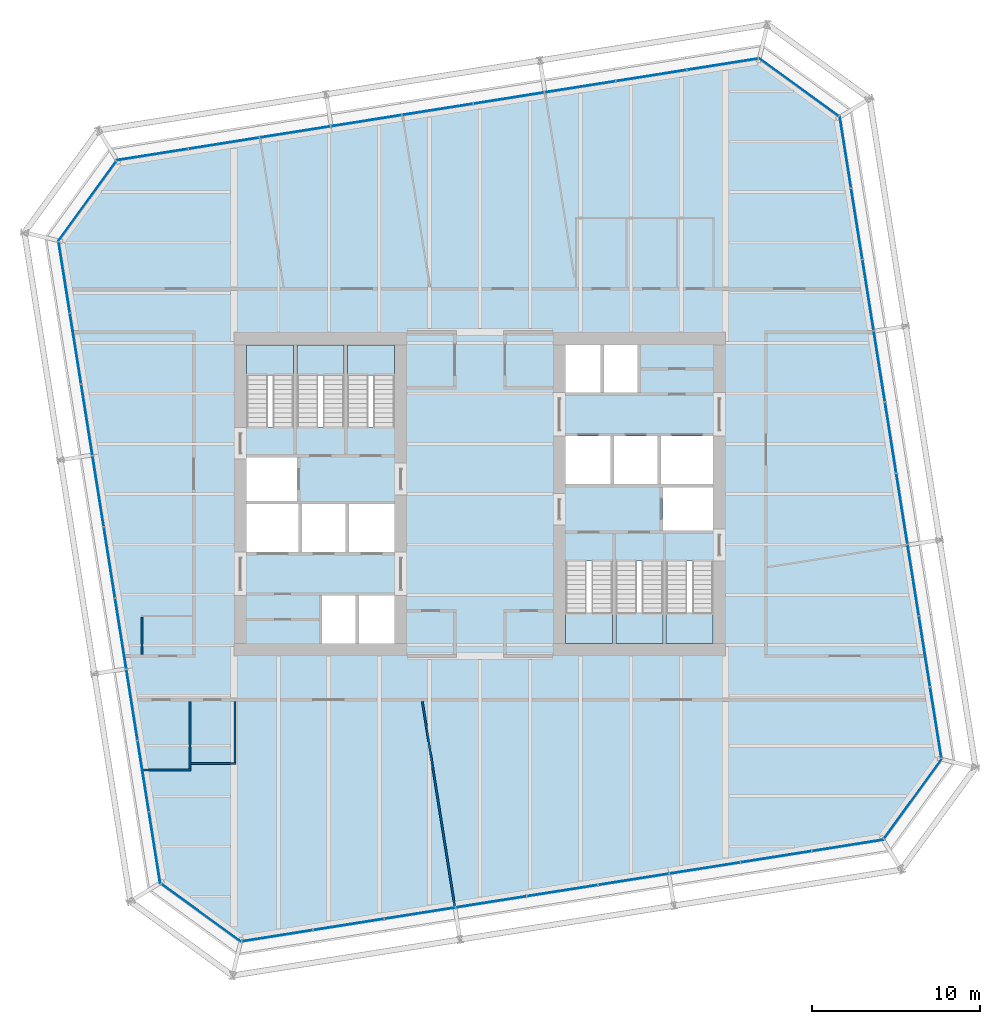
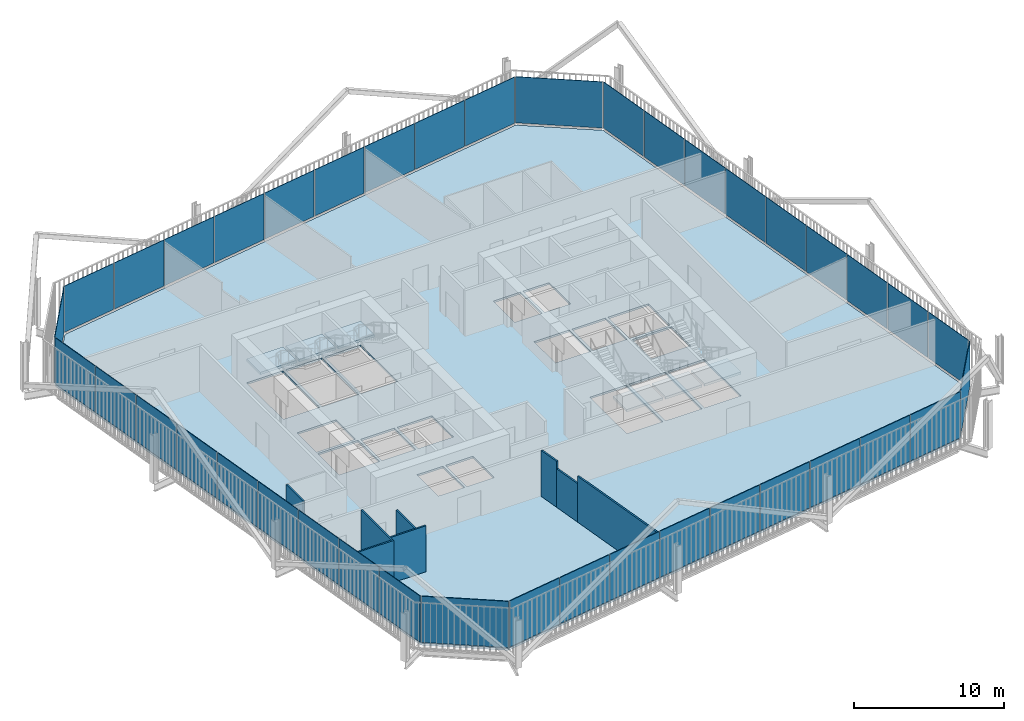
# One storey, part 17 of 22: 40 plates, 8 walls, 7 slabs, 14 elements without a shape of their own.
"""IFC4 building model written with IfcOpenShell, lengths in metres."""

from ifc_helpers import new_model, si_unit, direction, frame, frame_2d, origin, place, context, subcontext, project, spatial, polyline, rectangle, outline, extrude, material, layer, layer_set, type_object, element, aggregate, save


model = new_model("IFC4")

# Units and contexts
model_context = context("Model", 3, precision=1e-05, world=origin(), true_north=direction((0.0, 1.0)))
body_context = subcontext(model_context, "Body", "Model", "MODEL_VIEW")
ifc_project = project(units=[si_unit("LENGTHUNIT", "METRE"), si_unit("AREAUNIT", "SQUARE_METRE"), si_unit("VOLUMEUNIT", "CUBIC_METRE"), si_unit("PLANEANGLEUNIT", "RADIAN"), si_unit("MASSUNIT", "GRAM", prefix="KILO")], contexts=[model_context])

# Site, building, storey
site_placement = place(None, origin())
site = spatial("IfcSite", under=ifc_project, at=site_placement, CompositionType="ELEMENT")
building_placement = place(site_placement, origin())
building = spatial("IfcBuilding", under=site, at=building_placement, Name="Millrace Tower", CompositionType="ELEMENT")
storey_placement = place(building_placement, frame((0.0, 0.0, 152.89990234375)))
storey = spatial("IfcBuildingStorey", under=building, at=storey_placement, Name="L34", CompositionType="ELEMENT", Elevation=152.89990234375)

# Curtain wall, plate
ifc_material_1 = material(Name="Aluminium and glass", Category="aluminium")
ifc_layer_1 = layer(ifc_material_1, 0.14990234375)
ifc_layer_set_1 = layer_set([ifc_layer_1], Name="Aluminium and glass")
curtain_wall_type = type_object("IfcCurtainWallType", Name="CW-1 office vision curtain wall", PredefinedType="NOTDEFINED", material=ifc_layer_set_1)
placement_1 = place(storey_placement, origin())
curtain_wall_1 = element("IfcCurtainWall", 1, at=placement_1, inside=storey, type_object=curtain_wall_type, Name="Curtain wall C-F01 L34", PredefinedType="NOTDEFINED")
ifc_material_2 = material(Name="Glass", Category="glass")
ifc_layer_2 = layer(ifc_material_2, 0.0439453125)
ifc_layer_set_2 = layer_set([ifc_layer_2], Name="Glass")
plate_type = type_object("IfcPlateType", Name="CW-1 office vision curtain wall triple-glazed vision panel", PredefinedType="CURTAIN_PANEL", material=ifc_layer_set_2)
placement_2 = place(storey_placement, frame((0.0, 0.0, 0.14013671875)))
plate_1 = element("IfcPlate", 2, at=placement_2, type_object=plate_type, Name="CW1 panel C-F01.1", PredefinedType="CURTAIN_PANEL", context=body_context, shape_type="SweptSolid", body=[
    extrude(outline(polyline([(-18.988037109375, -23.254638671875), (-14.260009765625, -26.689697265625), (-14.2490234375, -26.6435546875), (-18.962158203125, -23.218994140625), (-18.988037109375, -23.254638671875)])), origin(), (0.0, 0.0, 1.0), 3.760009765625),
])
aggregate(curtain_wall_1, [plate_1])

# Curtain wall, plates
curtain_wall_2 = element("IfcCurtainWall", 3, at=placement_1, inside=storey, type_object=curtain_wall_type, Name="Curtain wall C-F02 L34", PredefinedType="NOTDEFINED")
plate_2 = element("IfcPlate", 4, at=placement_2, type_object=plate_type, Name="CW1 panel C-F02.1", PredefinedType="CURTAIN_PANEL", context=body_context, shape_type="SweptSolid", body=[
    extrude(outline(polyline([(-14.15625, -26.67333984375), (-9.973388671875, -26.0107421875), (-9.980224609375, -25.96728515625), (-14.1630859375, -26.6298828125), (-14.15625, -26.67333984375)])), origin(), (0.0, 0.0, 1.0), 3.760009765625),
])
plate_3 = element("IfcPlate", 5, at=placement_2, type_object=plate_type, Name="CW1 panel C-F02.2", PredefinedType="CURTAIN_PANEL", context=body_context, shape_type="SweptSolid", body=[
    extrude(outline(polyline([(-9.9091796875, -26.000732421875), (-5.726318359375, -25.338134765625), (-5.733154296875, -25.294677734375), (-9.916015625, -25.957275390625), (-9.9091796875, -26.000732421875)])), origin(), (0.0, 0.0, 1.0), 3.760009765625),
])
plate_4 = element("IfcPlate", 6, at=placement_2, type_object=plate_type, Name="CW1 panel C-F02.3", PredefinedType="CURTAIN_PANEL", context=body_context, shape_type="SweptSolid", body=[
    extrude(outline(polyline([(-5.662109375, -25.327880859375), (-1.479248046875, -24.66552734375), (-1.486083984375, -24.6220703125), (-5.6689453125, -25.284423828125), (-5.662109375, -25.327880859375)])), origin(), (0.0, 0.0, 1.0), 3.760009765625),
])
plate_5 = element("IfcPlate", 7, at=placement_2, type_object=plate_type, Name="CW1 panel C-F02.4", PredefinedType="CURTAIN_PANEL", context=body_context, shape_type="SweptSolid", body=[
    extrude(outline(polyline([(-1.4150390625, -24.6552734375), (2.767822265625, -23.992919921875), (2.760986328125, -23.949462890625), (-1.421875, -24.61181640625), (-1.4150390625, -24.6552734375)])), origin(), (0.0, 0.0, 1.0), 3.760009765625),
])
plate_6 = element("IfcPlate", 8, at=placement_2, type_object=plate_type, Name="CW1 panel C-F02.5", PredefinedType="CURTAIN_PANEL", context=body_context, shape_type="SweptSolid", body=[
    extrude(outline(polyline([(2.83203125, -23.982666015625), (7.014892578125, -23.320068359375), (7.008056640625, -23.276611328125), (2.8251953125, -23.939208984375), (2.83203125, -23.982666015625)])), origin(), (0.0, 0.0, 1.0), 3.760009765625),
])
plate_7 = element("IfcPlate", 9, at=placement_2, type_object=plate_type, Name="CW1 panel C-F02.6", PredefinedType="CURTAIN_PANEL", context=body_context, shape_type="SweptSolid", body=[
    extrude(outline(polyline([(7.0791015625, -23.31005859375), (11.261962890625, -22.6474609375), (11.255126953125, -22.60400390625), (7.072265625, -23.2666015625), (7.0791015625, -23.31005859375)])), origin(), (0.0, 0.0, 1.0), 3.760009765625),
])
plate_8 = element("IfcPlate", 10, at=placement_2, type_object=plate_type, Name="CW1 panel C-F02.7", PredefinedType="CURTAIN_PANEL", context=body_context, shape_type="SweptSolid", body=[
    extrude(outline(polyline([(11.326171875, -22.63720703125), (15.509033203125, -21.974853515625), (15.502197265625, -21.931396484375), (11.3193359375, -22.59375), (11.326171875, -22.63720703125)])), origin(), (0.0, 0.0, 1.0), 3.760009765625),
])
plate_9 = element("IfcPlate", 11, at=placement_2, type_object=plate_type, Name="CW1 panel C-F02.8", PredefinedType="CURTAIN_PANEL", context=body_context, shape_type="SweptSolid", body=[
    extrude(outline(polyline([(15.5732421875, -21.964599609375), (19.756103515625, -21.30224609375), (19.749267578125, -21.2587890625), (15.56640625, -21.921142578125), (15.5732421875, -21.964599609375)])), origin(), (0.0, 0.0, 1.0), 3.760009765625),
])
plate_10 = element("IfcPlate", 12, at=placement_2, type_object=plate_type, Name="CW1 panel C-F02.9", PredefinedType="CURTAIN_PANEL", context=body_context, shape_type="SweptSolid", body=[
    extrude(outline(polyline([(19.8203125, -21.2919921875), (24.042724609375, -20.623291015625), (24.01806640625, -20.58251953125), (19.8134765625, -21.24853515625), (19.8203125, -21.2919921875)])), origin(), (0.0, 0.0, 1.0), 3.760009765625),
])
aggregate(curtain_wall_2, [plate_2, plate_3, plate_4, plate_5, plate_6, plate_7, plate_8, plate_9, plate_10])

# Curtain wall, plate
curtain_wall_3 = element("IfcCurtainWall", 13, at=placement_1, inside=storey, type_object=curtain_wall_type, Name="Curtain wall C-F03 L34", PredefinedType="NOTDEFINED")
plate_11 = element("IfcPlate", 14, at=placement_2, type_object=plate_type, Name="CW1 panel C-F03.1", PredefinedType="CURTAIN_PANEL", context=body_context, shape_type="SweptSolid", body=[
    extrude(outline(polyline([(24.104736328125, -20.5380859375), (27.539794921875, -15.81005859375), (27.493408203125, -15.799072265625), (24.069091796875, -20.51220703125), (24.104736328125, -20.5380859375)])), origin(), (0.0, 0.0, 1.0), 3.760009765625),
])
aggregate(curtain_wall_3, [plate_11])

# Curtain wall, plates
curtain_wall_4 = element("IfcCurtainWall", 15, at=placement_1, inside=storey, type_object=curtain_wall_type, Name="Curtain wall C-F04 L34", PredefinedType="NOTDEFINED")
plate_12 = element("IfcPlate", 16, at=placement_2, type_object=plate_type, Name="CW1 panel C-F04.1", PredefinedType="CURTAIN_PANEL", context=body_context, shape_type="SweptSolid", body=[
    extrude(outline(polyline([(27.5234375, -15.706298828125), (26.86083984375, -11.5234375), (26.8173828125, -11.5302734375), (27.47998046875, -15.713134765625), (27.5234375, -15.706298828125)])), origin(), (0.0, 0.0, 1.0), 3.760009765625),
])
plate_13 = element("IfcPlate", 17, at=placement_2, type_object=plate_type, Name="CW1 panel C-F04.2", PredefinedType="CURTAIN_PANEL", context=body_context, shape_type="SweptSolid", body=[
    extrude(outline(polyline([(26.8505859375, -11.459228515625), (26.188232421875, -7.2763671875), (26.144775390625, -7.283203125), (26.80712890625, -11.466064453125), (26.8505859375, -11.459228515625)])), origin(), (0.0, 0.0, 1.0), 3.760009765625),
])
plate_14 = element("IfcPlate", 18, at=placement_2, type_object=plate_type, Name="CW1 panel C-F04.3", PredefinedType="CURTAIN_PANEL", context=body_context, shape_type="SweptSolid", body=[
    extrude(outline(polyline([(26.177978515625, -7.212158203125), (25.515380859375, -3.029296875), (25.471923828125, -3.0361328125), (26.134521484375, -7.218994140625), (26.177978515625, -7.212158203125)])), origin(), (0.0, 0.0, 1.0), 3.760009765625),
])
plate_15 = element("IfcPlate", 19, at=placement_2, type_object=plate_type, Name="CW1 panel C-F04.4", PredefinedType="CURTAIN_PANEL", context=body_context, shape_type="SweptSolid", body=[
    extrude(outline(polyline([(25.50537109375, -2.965087890625), (24.8427734375, 1.2177734375), (24.79931640625, 1.2109375), (25.4619140625, -2.971923828125), (25.50537109375, -2.965087890625)])), origin(), (0.0, 0.0, 1.0), 3.760009765625),
])
plate_16 = element("IfcPlate", 20, at=placement_2, type_object=plate_type, Name="CW1 panel C-F04.5", PredefinedType="CURTAIN_PANEL", context=body_context, shape_type="SweptSolid", body=[
    extrude(outline(polyline([(24.832763671875, 1.281982421875), (24.170166015625, 5.46484375), (24.126708984375, 5.4580078125), (24.789306640625, 1.275146484375), (24.832763671875, 1.281982421875)])), origin(), (0.0, 0.0, 1.0), 3.760009765625),
])
plate_17 = element("IfcPlate", 21, at=placement_2, type_object=plate_type, Name="CW1 panel C-F04.6", PredefinedType="CURTAIN_PANEL", context=body_context, shape_type="SweptSolid", body=[
    extrude(outline(polyline([(24.159912109375, 5.529052734375), (23.49755859375, 9.7119140625), (23.4541015625, 9.705078125), (24.116455078125, 5.522216796875), (24.159912109375, 5.529052734375)])), origin(), (0.0, 0.0, 1.0), 3.760009765625),
])
plate_18 = element("IfcPlate", 22, at=placement_2, type_object=plate_type, Name="CW1 panel C-F04.7", PredefinedType="CURTAIN_PANEL", context=body_context, shape_type="SweptSolid", body=[
    extrude(outline(polyline([(23.4873046875, 9.776123046875), (22.82470703125, 13.958984375), (22.78125, 13.9521484375), (23.44384765625, 9.769287109375), (23.4873046875, 9.776123046875)])), origin(), (0.0, 0.0, 1.0), 3.760009765625),
])
plate_19 = element("IfcPlate", 23, at=placement_2, type_object=plate_type, Name="CW1 panel C-F04.8", PredefinedType="CURTAIN_PANEL", context=body_context, shape_type="SweptSolid", body=[
    extrude(outline(polyline([(22.814697265625, 14.023193359375), (22.152099609375, 18.2060546875), (22.108642578125, 18.19921875), (22.771240234375, 14.016357421875), (22.814697265625, 14.023193359375)])), origin(), (0.0, 0.0, 1.0), 3.760009765625),
])
plate_20 = element("IfcPlate", 24, at=placement_2, type_object=plate_type, Name="CW1 panel C-F04.9", PredefinedType="CURTAIN_PANEL", context=body_context, shape_type="SweptSolid", body=[
    extrude(outline(polyline([(22.14208984375, 18.270263671875), (21.47314453125, 22.492919921875), (21.4326171875, 22.468017578125), (22.0986328125, 18.263427734375), (22.14208984375, 18.270263671875)])), origin(), (0.0, 0.0, 1.0), 3.760009765625),
])
aggregate(curtain_wall_4, [plate_12, plate_13, plate_14, plate_15, plate_16, plate_17, plate_18, plate_19, plate_20])

# Curtain wall, plate
curtain_wall_5 = element("IfcCurtainWall", 25, at=placement_1, inside=storey, type_object=curtain_wall_type, Name="Curtain wall C-F05 L34", PredefinedType="NOTDEFINED")
plate_21 = element("IfcPlate", 26, at=placement_2, type_object=plate_type, Name="CW1 panel C-F05.1", PredefinedType="CURTAIN_PANEL", context=body_context, shape_type="SweptSolid", body=[
    extrude(outline(polyline([(21.38818359375, 22.5546875), (16.66015625, 25.98974609375), (16.64892578125, 25.943359375), (21.3623046875, 22.51904296875), (21.38818359375, 22.5546875)])), origin(), (0.0, 0.0, 1.0), 3.760009765625),
])
aggregate(curtain_wall_5, [plate_21])

# Curtain wall, plates
curtain_wall_6 = element("IfcCurtainWall", 27, at=placement_1, inside=storey, type_object=curtain_wall_type, Name="Curtain wall C-F06 L34", PredefinedType="NOTDEFINED")
plate_22 = element("IfcPlate", 28, at=placement_2, type_object=plate_type, Name="CW1 panel C-F06.1", PredefinedType="CURTAIN_PANEL", context=body_context, shape_type="SweptSolid", body=[
    extrude(outline(polyline([(16.55615234375, 25.973388671875), (12.373291015625, 25.310791015625), (12.380126953125, 25.267333984375), (16.56298828125, 25.929931640625), (16.55615234375, 25.973388671875)])), origin(), (0.0, 0.0, 1.0), 3.760009765625),
])
plate_23 = element("IfcPlate", 29, at=placement_2, type_object=plate_type, Name="CW1 panel C-F06.2", PredefinedType="CURTAIN_PANEL", context=body_context, shape_type="SweptSolid", body=[
    extrude(outline(polyline([(12.30908203125, 25.300537109375), (8.126220703125, 24.63818359375), (8.133056640625, 24.5947265625), (12.31591796875, 25.257080078125), (12.30908203125, 25.300537109375)])), origin(), (0.0, 0.0, 1.0), 3.760009765625),
])
plate_24 = element("IfcPlate", 30, at=placement_2, type_object=plate_type, Name="CW1 panel C-F06.3", PredefinedType="CURTAIN_PANEL", context=body_context, shape_type="SweptSolid", body=[
    extrude(outline(polyline([(8.06201171875, 24.6279296875), (3.879150390625, 23.965576171875), (3.885986328125, 23.922119140625), (8.06884765625, 24.58447265625), (8.06201171875, 24.6279296875)])), origin(), (0.0, 0.0, 1.0), 3.760009765625),
])
plate_25 = element("IfcPlate", 31, at=placement_2, type_object=plate_type, Name="CW1 panel C-F06.4", PredefinedType="CURTAIN_PANEL", context=body_context, shape_type="SweptSolid", body=[
    extrude(outline(polyline([(3.81494140625, 23.955322265625), (-0.367919921875, 23.292724609375), (-0.361083984375, 23.249267578125), (3.82177734375, 23.911865234375), (3.81494140625, 23.955322265625)])), origin(), (0.0, 0.0, 1.0), 3.760009765625),
])
plate_26 = element("IfcPlate", 32, at=placement_2, type_object=plate_type, Name="CW1 panel C-F06.5", PredefinedType="CURTAIN_PANEL", context=body_context, shape_type="SweptSolid", body=[
    extrude(outline(polyline([(-0.43212890625, 23.28271484375), (-4.614990234375, 22.6201171875), (-4.60791015625, 22.57666015625), (-0.42529296875, 23.2392578125), (-0.43212890625, 23.28271484375)])), origin(), (0.0, 0.0, 1.0), 3.760009765625),
])
plate_27 = element("IfcPlate", 33, at=placement_2, type_object=plate_type, Name="CW1 panel C-F06.6", PredefinedType="CURTAIN_PANEL", context=body_context, shape_type="SweptSolid", body=[
    extrude(outline(polyline([(-4.67919921875, 22.60986328125), (-8.862060546875, 21.947509765625), (-8.85498046875, 21.904052734375), (-4.672119140625, 22.56640625), (-4.67919921875, 22.60986328125)])), origin(), (0.0, 0.0, 1.0), 3.760009765625),
])
plate_28 = element("IfcPlate", 34, at=placement_2, type_object=plate_type, Name="CW1 panel C-F06.7", PredefinedType="CURTAIN_PANEL", context=body_context, shape_type="SweptSolid", body=[
    extrude(outline(polyline([(-8.92626953125, 21.937255859375), (-13.109130859375, 21.27490234375), (-13.10205078125, 21.2314453125), (-8.919189453125, 21.893798828125), (-8.92626953125, 21.937255859375)])), origin(), (0.0, 0.0, 1.0), 3.760009765625),
])
plate_29 = element("IfcPlate", 35, at=placement_2, type_object=plate_type, Name="CW1 panel C-F06.8", PredefinedType="CURTAIN_PANEL", context=body_context, shape_type="SweptSolid", body=[
    extrude(outline(polyline([(-13.17333984375, 21.2646484375), (-17.356201171875, 20.60205078125), (-17.34912109375, 20.55859375), (-13.166259765625, 21.22119140625), (-13.17333984375, 21.2646484375)])), origin(), (0.0, 0.0, 1.0), 3.760009765625),
])
plate_30 = element("IfcPlate", 36, at=placement_2, type_object=plate_type, Name="CW1 panel C-F06.9", PredefinedType="CURTAIN_PANEL", context=body_context, shape_type="SweptSolid", body=[
    extrude(outline(polyline([(-17.42041015625, 20.592041015625), (-21.642822265625, 19.923095703125), (-21.617919921875, 19.882568359375), (-17.413330078125, 20.548583984375), (-17.42041015625, 20.592041015625)])), origin(), (0.0, 0.0, 1.0), 3.760009765625),
])
aggregate(curtain_wall_6, [plate_22, plate_23, plate_24, plate_25, plate_26, plate_27, plate_28, plate_29, plate_30])

# Curtain wall, plate
curtain_wall_7 = element("IfcCurtainWall", 37, at=placement_1, inside=storey, type_object=curtain_wall_type, Name="Curtain wall C-F07 L34", PredefinedType="NOTDEFINED")
plate_31 = element("IfcPlate", 38, at=placement_2, type_object=plate_type, Name="CW1 panel C-F07.1", PredefinedType="CURTAIN_PANEL", context=body_context, shape_type="SweptSolid", body=[
    extrude(outline(polyline([(-21.70458984375, 19.838134765625), (-25.139892578125, 15.110107421875), (-25.093505859375, 15.098876953125), (-21.6689453125, 19.812255859375), (-21.70458984375, 19.838134765625)])), origin(), (0.0, 0.0, 1.0), 3.760009765625),
])
aggregate(curtain_wall_7, [plate_31])

# Curtain wall, plates
curtain_wall_8 = element("IfcCurtainWall", 39, at=placement_1, inside=storey, type_object=curtain_wall_type, Name="Curtain wall C-F08 L34", PredefinedType="NOTDEFINED")
plate_32 = element("IfcPlate", 40, at=placement_2, type_object=plate_type, Name="CW1 panel C-F08.1", PredefinedType="CURTAIN_PANEL", context=body_context, shape_type="SweptSolid", body=[
    extrude(outline(polyline([(-25.123291015625, 15.006103515625), (-24.4609375, 10.8232421875), (-24.41748046875, 10.830322265625), (-25.079833984375, 15.01318359375), (-25.123291015625, 15.006103515625)])), origin(), (0.0, 0.0, 1.0), 3.760009765625),
])
plate_33 = element("IfcPlate", 41, at=placement_2, type_object=plate_type, Name="CW1 panel C-F08.2", PredefinedType="CURTAIN_PANEL", context=body_context, shape_type="SweptSolid", body=[
    extrude(outline(polyline([(-24.45068359375, 10.759033203125), (-23.7880859375, 6.576171875), (-23.74462890625, 6.583251953125), (-24.4072265625, 10.76611328125), (-24.45068359375, 10.759033203125)])), origin(), (0.0, 0.0, 1.0), 3.760009765625),
])
plate_34 = element("IfcPlate", 42, at=placement_2, type_object=plate_type, Name="CW1 panel C-F08.3", PredefinedType="CURTAIN_PANEL", context=body_context, shape_type="SweptSolid", body=[
    extrude(outline(polyline([(-23.778076171875, 6.511962890625), (-23.115478515625, 2.3291015625), (-23.072021484375, 2.336181640625), (-23.734619140625, 6.51904296875), (-23.778076171875, 6.511962890625)])), origin(), (0.0, 0.0, 1.0), 3.760009765625),
])
plate_35 = element("IfcPlate", 43, at=placement_2, type_object=plate_type, Name="CW1 panel C-F08.4", PredefinedType="CURTAIN_PANEL", context=body_context, shape_type="SweptSolid", body=[
    extrude(outline(polyline([(-23.105224609375, 2.264892578125), (-22.44287109375, -1.91796875), (-22.3994140625, -1.910888671875), (-23.061767578125, 2.27197265625), (-23.105224609375, 2.264892578125)])), origin(), (0.0, 0.0, 1.0), 3.760009765625),
])
plate_36 = element("IfcPlate", 44, at=placement_2, type_object=plate_type, Name="CW1 panel C-F08.5", PredefinedType="CURTAIN_PANEL", context=body_context, shape_type="SweptSolid", body=[
    extrude(outline(polyline([(-22.4326171875, -1.98193359375), (-21.770263671875, -6.164794921875), (-21.726806640625, -6.157958984375), (-22.38916015625, -1.97509765625), (-22.4326171875, -1.98193359375)])), origin(), (0.0, 0.0, 1.0), 3.760009765625),
])
plate_37 = element("IfcPlate", 45, at=placement_2, type_object=plate_type, Name="CW1 panel C-F08.6", PredefinedType="CURTAIN_PANEL", context=body_context, shape_type="SweptSolid", body=[
    extrude(outline(polyline([(-21.760009765625, -6.22900390625), (-21.097412109375, -10.411865234375), (-21.053955078125, -10.405029296875), (-21.716552734375, -6.22216796875), (-21.760009765625, -6.22900390625)])), origin(), (0.0, 0.0, 1.0), 3.760009765625),
])
plate_38 = element("IfcPlate", 46, at=placement_2, type_object=plate_type, Name="CW1 panel C-F08.7", PredefinedType="CURTAIN_PANEL", context=body_context, shape_type="SweptSolid", body=[
    extrude(outline(polyline([(-21.08740234375, -10.47607421875), (-20.4248046875, -14.658935546875), (-20.38134765625, -14.652099609375), (-21.0439453125, -10.46923828125), (-21.08740234375, -10.47607421875)])), origin(), (0.0, 0.0, 1.0), 3.760009765625),
])
plate_39 = element("IfcPlate", 47, at=placement_2, type_object=plate_type, Name="CW1 panel C-F08.8", PredefinedType="CURTAIN_PANEL", context=body_context, shape_type="SweptSolid", body=[
    extrude(outline(polyline([(-20.41455078125, -14.72314453125), (-19.752197265625, -18.906005859375), (-19.708740234375, -18.899169921875), (-20.37109375, -14.71630859375), (-20.41455078125, -14.72314453125)])), origin(), (0.0, 0.0, 1.0), 3.760009765625),
])
plate_40 = element("IfcPlate", 48, at=placement_2, type_object=plate_type, Name="CW1 panel C-F08.9", PredefinedType="CURTAIN_PANEL", context=body_context, shape_type="SweptSolid", body=[
    extrude(outline(polyline([(-19.741943359375, -18.97021484375), (-19.0732421875, -23.19287109375), (-19.032470703125, -23.16796875), (-19.698486328125, -18.96337890625), (-19.741943359375, -18.97021484375)])), origin(), (0.0, 0.0, 1.0), 3.760009765625),
])
aggregate(curtain_wall_8, [plate_32, plate_33, plate_34, plate_35, plate_36, plate_37, plate_38, plate_39, plate_40])

# Slab
ifc_material_3 = material(Name="Concrete C35 on steel deck", Category="concrete")
ifc_layer_3 = layer(ifc_material_3, 0.159912109375)
ifc_layer_set_3 = layer_set([ifc_layer_3], Name="Concrete C35 on steel deck")
slab_type_1 = type_object("IfcSlabType", Name="Composite floor slab 160 mm", PredefinedType="FLOOR", material=ifc_layer_set_3)
slab_1_placement = place(storey_placement, frame((0.0, 0.0, -0.159912109375)))
element("IfcSlab", 49, at=slab_1_placement, inside=storey, type_object=slab_type_1, Name="SL-C-L34-S1", PredefinedType="FLOOR", context=body_context, shape_type="SweptSolid", body=[
    extrude(outline(polyline([(-18.983642578125, -23.137939453125), (-14.235595703125, -26.587646484375), (23.988037109375, -20.53369140625), (27.437744140625, -15.78564453125), (21.3837890625, 22.43798828125), (16.635498046875, 25.8876953125), (-21.587890625, 19.833740234375), (-25.03759765625, 15.08544921875), (-18.983642578125, -23.137939453125)]), holes=[polyline([(-9.39990234375, -8.89990234375), (-7.39990234375, -8.89990234375), (-7.39990234375, -6.050048828125), (-9.39990234375, -6.050048828125), (-9.39990234375, -8.89990234375)]), polyline([(-7.199951171875, -8.89990234375), (-5.10009765625, -8.89990234375), (-5.10009765625, -6.050048828125), (-7.199951171875, -6.050048828125), (-7.199951171875, -8.89990234375)]), polyline([(-13.89990234375, -3.449951171875), (-10.800048828125, -3.449951171875), (-10.800048828125, -0.60009765625), (-13.89990234375, -0.60009765625), (-13.89990234375, -3.449951171875)]), polyline([(-10.60009765625, -3.449951171875), (-8.0, -3.449951171875), (-8.0, -0.60009765625), (-10.60009765625, -0.60009765625), (-10.60009765625, -3.449951171875)]), polyline([(-7.800048828125, -3.449951171875), (-5.10009765625, -3.449951171875), (-5.10009765625, -0.60009765625), (-7.800048828125, -0.60009765625), (-7.800048828125, -3.449951171875)]), polyline([(-13.89990234375, -0.39990234375), (-10.89990234375, -0.39990234375), (-10.89990234375, 2.179931640625), (-13.89990234375, 2.179931640625), (-13.89990234375, -0.39990234375)]), polyline([(-13.89990234375, 4.0), (-11.10009765625, 4.0), (-11.10009765625, 8.89990234375), (-13.89990234375, 8.89990234375), (-13.89990234375, 4.0)]), polyline([(-10.89990234375, 4.0), (-8.10009765625, 4.0), (-8.10009765625, 8.89990234375), (-10.89990234375, 8.89990234375), (-10.89990234375, 4.0)]), polyline([(-7.89990234375, 4.0), (-5.10009765625, 4.0), (-5.10009765625, 8.89990234375), (-7.89990234375, 8.89990234375), (-7.89990234375, 4.0)]), polyline([(7.39990234375, 6.050048828125), (9.39990234375, 6.050048828125), (9.39990234375, 8.89990234375), (7.39990234375, 8.89990234375), (7.39990234375, 6.050048828125)]), polyline([(5.10009765625, 6.050048828125), (7.199951171875, 6.050048828125), (7.199951171875, 8.89990234375), (5.10009765625, 8.89990234375), (5.10009765625, 6.050048828125)]), polyline([(10.800048828125, 0.60009765625), (13.89990234375, 0.60009765625), (13.89990234375, 3.449951171875), (10.800048828125, 3.449951171875), (10.800048828125, 0.60009765625)]), polyline([(8.0, 0.60009765625), (10.60009765625, 0.60009765625), (10.60009765625, 3.449951171875), (8.0, 3.449951171875), (8.0, 0.60009765625)]), polyline([(5.10009765625, 0.60009765625), (7.800048828125, 0.60009765625), (7.800048828125, 3.449951171875), (5.10009765625, 3.449951171875), (5.10009765625, 0.60009765625)]), polyline([(10.89990234375, -2.179931640625), (13.89990234375, -2.179931640625), (13.89990234375, 0.39990234375), (10.89990234375, 0.39990234375), (10.89990234375, -2.179931640625)]), polyline([(11.10009765625, -8.89990234375), (13.89990234375, -8.89990234375), (13.89990234375, -4.0), (11.10009765625, -4.0), (11.10009765625, -8.89990234375)]), polyline([(8.10009765625, -8.89990234375), (10.89990234375, -8.89990234375), (10.89990234375, -4.0), (8.10009765625, -4.0), (8.10009765625, -8.89990234375)]), polyline([(5.10009765625, -8.89990234375), (7.89990234375, -8.89990234375), (7.89990234375, -4.0), (5.10009765625, -4.0), (5.10009765625, -8.89990234375)])]), origin(), (0.0, 0.0, 1.0), 0.159912109375),
])

# Stair, slab
ifc_material_4 = material(Name="Concrete C35", Category="concrete")
stair_type = type_object("IfcStairType", Name="Exit stair", PredefinedType="HALF_TURN_STAIR", material=ifc_material_4)
stair_1 = element("IfcStair", 50, at=placement_1, inside=storey, type_object=stair_type, Name="Stair 1 W L34", PredefinedType="HALF_TURN_STAIR")
ifc_material_5 = material(Name="Concrete C40", Category="concrete")
ifc_layer_4 = layer(ifc_material_5, 0.199951171875)
ifc_layer_set_4 = layer_set([ifc_layer_4], Name="Concrete C40")
slab_type_2 = type_object("IfcSlabType", Name="Stair landing", PredefinedType="LANDING", material=ifc_layer_set_4)
placement_3 = place(storey_placement, frame((0.0, 0.0, 1.75)))
slab_2 = element("IfcSlab", 51, at=placement_3, type_object=slab_type_2, Name="ST12 landing 1", PredefinedType="LANDING", context=body_context, shape_type="SweptSolid", body=[
    extrude(outline(polyline([(-13.89990234375, 7.080078125), (-11.10009765625, 7.080078125), (-11.10009765625, 8.89990234375), (-13.89990234375, 8.89990234375), (-13.89990234375, 7.080078125)])), origin(), (0.0, 0.0, 1.0), 0.2001953125),
])
aggregate(stair_1, [slab_2])

stair_2 = element("IfcStair", 52, at=placement_1, inside=storey, type_object=stair_type, Name="Stair 2 W L34", PredefinedType="HALF_TURN_STAIR")
slab_3 = element("IfcSlab", 53, at=placement_3, type_object=slab_type_2, Name="ST12 landing 1", PredefinedType="LANDING", context=body_context, shape_type="SweptSolid", body=[
    extrude(outline(polyline([(-10.89990234375, 7.080078125), (-8.10009765625, 7.080078125), (-8.10009765625, 8.89990234375), (-10.89990234375, 8.89990234375), (-10.89990234375, 7.080078125)])), origin(), (0.0, 0.0, 1.0), 0.2001953125),
])
aggregate(stair_2, [slab_3])

stair_3 = element("IfcStair", 54, at=placement_1, inside=storey, type_object=stair_type, Name="Stair 3 W L34", PredefinedType="HALF_TURN_STAIR")
slab_4 = element("IfcSlab", 55, at=placement_3, type_object=slab_type_2, Name="ST12 landing 1", PredefinedType="LANDING", context=body_context, shape_type="SweptSolid", body=[
    extrude(outline(polyline([(-7.89990234375, 7.080078125), (-5.10009765625, 7.080078125), (-5.10009765625, 8.89990234375), (-7.89990234375, 8.89990234375), (-7.89990234375, 7.080078125)])), origin(), (0.0, 0.0, 1.0), 0.2001953125),
])
aggregate(stair_3, [slab_4])

stair_4 = element("IfcStair", 56, at=placement_1, inside=storey, type_object=stair_type, Name="Stair 1 E L34", PredefinedType="HALF_TURN_STAIR")
slab_5 = element("IfcSlab", 57, at=placement_3, type_object=slab_type_2, Name="ST12 landing 1", PredefinedType="LANDING", context=body_context, shape_type="SweptSolid", body=[
    extrude(outline(polyline([(11.10009765625, -8.89990234375), (13.89990234375, -8.89990234375), (13.89990234375, -7.080078125), (11.10009765625, -7.080078125), (11.10009765625, -8.89990234375)])), origin(), (0.0, 0.0, 1.0), 0.2001953125),
])
aggregate(stair_4, [slab_5])

stair_5 = element("IfcStair", 58, at=placement_1, inside=storey, type_object=stair_type, Name="Stair 2 E L34", PredefinedType="HALF_TURN_STAIR")
slab_6 = element("IfcSlab", 59, at=placement_3, type_object=slab_type_2, Name="ST12 landing 1", PredefinedType="LANDING", context=body_context, shape_type="SweptSolid", body=[
    extrude(outline(polyline([(8.10009765625, -8.89990234375), (10.89990234375, -8.89990234375), (10.89990234375, -7.080078125), (8.10009765625, -7.080078125), (8.10009765625, -8.89990234375)])), origin(), (0.0, 0.0, 1.0), 0.2001953125),
])
aggregate(stair_5, [slab_6])

stair_6 = element("IfcStair", 60, at=placement_1, inside=storey, type_object=stair_type, Name="Stair 3 E L34", PredefinedType="HALF_TURN_STAIR")
slab_7 = element("IfcSlab", 61, at=placement_3, type_object=slab_type_2, Name="ST12 landing 1", PredefinedType="LANDING", context=body_context, shape_type="SweptSolid", body=[
    extrude(outline(polyline([(5.10009765625, -8.89990234375), (7.89990234375, -8.89990234375), (7.89990234375, -7.080078125), (5.10009765625, -7.080078125), (5.10009765625, -8.89990234375)])), origin(), (0.0, 0.0, 1.0), 0.2001953125),
])
aggregate(stair_6, [slab_7])

# Walls
ifc_material_6 = material(Name="Gypsum board partition")
ifc_layer_5 = layer(ifc_material_6, 0.1201171875)
ifc_layer_set_5 = layer_set([ifc_layer_5], Name="Gypsum board partition")
wall_type = type_object("IfcWallType", Name="Partition wall 120", PredefinedType="PARTITIONING", material=ifc_layer_set_5)
wall_1_placement = place(storey_placement, frame((-3.430419921875, -12.348876953125, 0.0), z_axis=(0.0, 0.0, 1.0), x_axis=(0.156535074883, -0.987672400309, 0.0)))
element("IfcWall", 62, at=wall_1_placement, inside=storey, type_object=wall_type, Name="Partition wall L34", PredefinedType="PARTITIONING", context=body_context, shape_type="SweptSolid", body=[
    extrude(rectangle(XDim=1.642333984375, YDim=0.1201171875, at=frame_2d((0.8212890625, 0.0))), origin(), (0.0, 0.0, 1.0), 3.739990234375),
])
wall_2_placement = place(storey_placement, frame((-3.17333984375, -13.970947265625, 0.0), z_axis=(0.0, 0.0, 1.0), x_axis=(0.156341363977, -0.987703081857, 0.0)))
element("IfcWall", 63, at=wall_2_placement, inside=storey, type_object=wall_type, Name="Partition wall L34", PredefinedType="PARTITIONING", context=body_context, shape_type="SweptSolid", body=[
    extrude(rectangle(XDim=2.217529296875, YDim=0.1201171875, at=frame_2d((1.10888671875, 0.0))), origin(), (0.0, 0.0, 1.0), 3.133056640625),
])
wall_3_placement = place(storey_placement, frame((-2.82666015625, -16.1611328125, 0.0), z_axis=(0.0, 0.0, 1.0), x_axis=(0.156427735181, -0.987689406477, 0.0)))
element("IfcWall", 64, at=wall_3_placement, inside=storey, type_object=wall_type, Name="Partition wall L34", PredefinedType="PARTITIONING", context=body_context, shape_type="SweptSolid", body=[
    extrude(rectangle(XDim=8.54345703125, YDim=0.1201171875, at=frame_2d((4.271728515625, 0.0))), origin(), (0.0, 0.0, 1.0), 3.739990234375),
])
wall_4_placement = place(storey_placement, frame((-20.0732421875, -16.449951171875, 0.0), z_axis=(0.0, 0.0, 1.0), x_axis=(1.0, 0.0, 0.0)))
element("IfcWall", 65, at=wall_4_placement, inside=storey, type_object=wall_type, Name="Partition wall L34", PredefinedType="PARTITIONING", context=body_context, shape_type="SweptSolid", body=[
    extrude(rectangle(XDim=2.84521484375, YDim=0.1201171875, at=frame_2d((1.422607421875, 0.0))), origin(), (0.0, 0.0, 1.0), 3.739990234375),
])
wall_5_placement = place(storey_placement, frame((-17.22802734375, -16.050048828125, 0.0), z_axis=(0.0, 0.0, 1.0), x_axis=(1.0, 0.0, 0.0)))
element("IfcWall", 66, at=wall_5_placement, inside=storey, type_object=wall_type, Name="Partition wall L34", PredefinedType="PARTITIONING", context=body_context, shape_type="SweptSolid", body=[
    extrude(rectangle(XDim=2.699951171875, YDim=0.1201171875, at=frame_2d((1.35009765625, 0.0))), origin(), (0.0, 0.0, 1.0), 3.739990234375),
])
wall_6_placement = place(storey_placement, frame((-14.587890625, -15.989990234375, 0.0), z_axis=(0.0, 0.0, 1.0), x_axis=(0.0, 1.0, 0.0)))
element("IfcWall", 67, at=wall_6_placement, inside=storey, type_object=wall_type, Name="Partition wall L34", PredefinedType="PARTITIONING", context=body_context, shape_type="SweptSolid", body=[
    extrude(rectangle(XDim=3.639892578125, YDim=0.1201171875, at=frame_2d((1.81982421875, 0.0))), origin(), (0.0, 0.0, 1.0), 2.792724609375),
])
wall_7_placement = place(storey_placement, frame((-17.2880859375, -16.389892578125, 0.0), z_axis=(0.0, 0.0, 1.0), x_axis=(0.0, 1.0, 0.0)))
element("IfcWall", 68, at=wall_7_placement, inside=storey, type_object=wall_type, Name="Partition wall L34", PredefinedType="PARTITIONING", context=body_context, shape_type="SweptSolid", body=[
    extrude(rectangle(XDim=4.039794921875, YDim=0.1201171875, at=frame_2d((2.02001953125, 0.0))), origin(), (0.0, 0.0, 1.0), 3.739990234375),
])
wall_8_placement = place(storey_placement, frame((-20.14990234375, -9.550048828125, 0.0), z_axis=(0.0, 0.0, 1.0), x_axis=(0.0, 1.0, 0.0)))
element("IfcWall", 69, at=wall_8_placement, inside=storey, type_object=wall_type, Name="Partition wall L34", PredefinedType="PARTITIONING", context=body_context, shape_type="SweptSolid", body=[
    extrude(rectangle(XDim=2.239990234375, YDim=0.1201171875, at=frame_2d((1.1201171875, 0.0))), origin(), (0.0, 0.0, 1.0), 3.739990234375),
])

save(model, "model.ifc")
